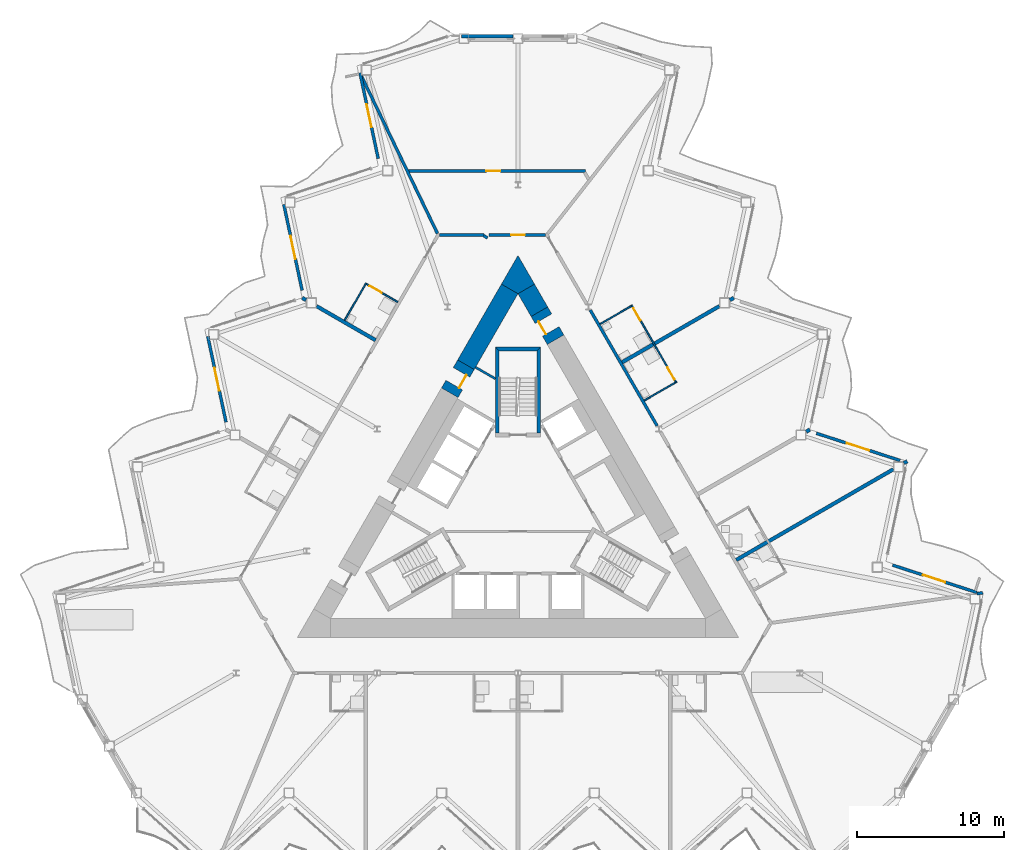
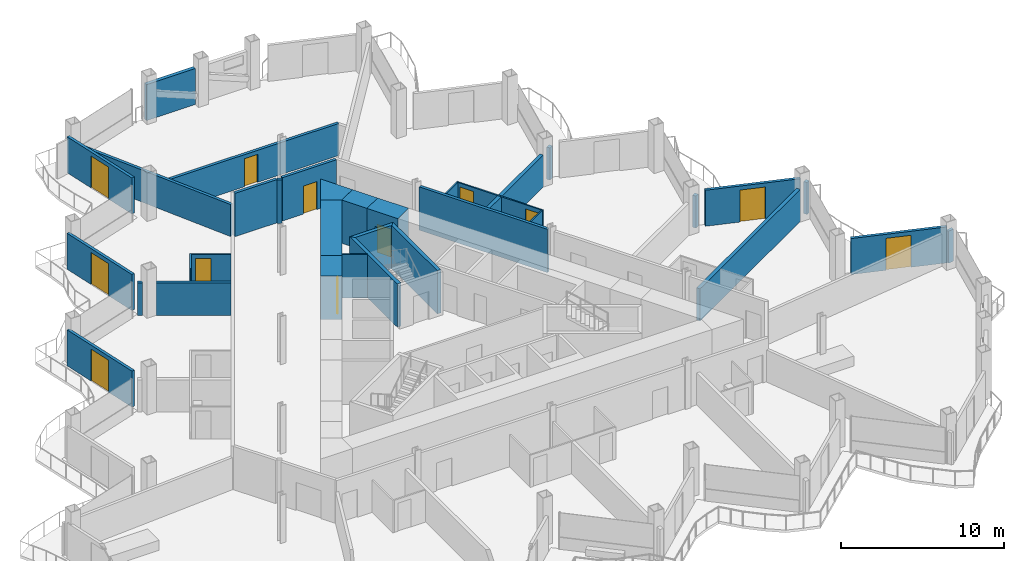
# One storey, part 14 of 24: 34 walls, 12 doors, 12 openings.
"""IFC4 building model written with IfcOpenShell, lengths in metres."""

from ifc_helpers import new_model, si_unit, direction, frame, frame_2d, origin, place, context, subcontext, project, spatial, polyline, rectangle, outline, extrude, material, layer, layer_set, type_object, element, fill, save


model = new_model("IFC4")

# Units and contexts
model_context = context("Model", 3, precision=1e-05, world=origin(), true_north=direction((0.0, 1.0)))
body_context = subcontext(model_context, "Body", "Model", "MODEL_VIEW")
ifc_project = project(units=[si_unit("LENGTHUNIT", "METRE"), si_unit("AREAUNIT", "SQUARE_METRE"), si_unit("VOLUMEUNIT", "CUBIC_METRE"), si_unit("PLANEANGLEUNIT", "RADIAN"), si_unit("MASSUNIT", "GRAM", prefix="KILO")], contexts=[model_context])

# Site, building, storey
site_placement = place(None, origin())
site = spatial("IfcSite", under=ifc_project, at=site_placement, CompositionType="ELEMENT")
building_placement = place(site_placement, origin())
building = spatial("IfcBuilding", under=site, at=building_placement, Name="Cormorant Prow Tower", CompositionType="ELEMENT")
storey_placement = place(building_placement, frame((0.0, 0.0, 238.199951171875)))
storey = spatial("IfcBuildingStorey", under=building, at=storey_placement, Name="L52", CompositionType="ELEMENT", Elevation=238.199951171875)

# Walls
ifc_material_1 = material(Name="Gypsum board partition")
ifc_layer_1 = layer(ifc_material_1, 0.14990234375)
ifc_layer_set_1 = layer_set([ifc_layer_1], Name="Gypsum board partition")
wall_type_1 = type_object("IfcWallType", Name="Core partition 150", PredefinedType="PARTITIONING", material=ifc_layer_set_1)
wall_1_placement = place(storey_placement, frame((-2.88623046875, 9.721435546875, 0.0), z_axis=(0.0, 0.0, 1.0), x_axis=(0.865990094875, -0.500061151839, 0.0)))
element("IfcWall", 1, at=wall_1_placement, inside=storey, type_object=wall_type_1, Name="Service room partition", PredefinedType="PARTITIONING", context=body_context, shape_type="SweptSolid", body=[
    extrude(rectangle(XDim=1.559814453125, YDim=0.14990234375, at=frame_2d((0.77978515625, 0.0))), origin(), (0.0, 0.0, 1.0), 3.25),
])
ifc_material_2 = material(Name="Concrete 8000 psi", Category="concrete")
ifc_layer_2 = layer(ifc_material_2, 1.300048828125)
ifc_layer_set_2 = layer_set([ifc_layer_2], Name="Concrete 8000 psi")
wall_type_2 = type_object("IfcWallType", Name="Core shear wall 1300", PredefinedType="SHEAR", material=ifc_layer_set_2)
wall_2_placement = place(storey_placement, frame((1.4560546875, 13.49853515625, 0.0), z_axis=(0.0, 0.0, 1.0), x_axis=(-0.499990639951, 0.866030807744, 0.0)))
element("IfcWall", 2, at=wall_2_placement, inside=storey, type_object=wall_type_2, Name="Core wall", PredefinedType="SHEAR", context=body_context, shape_type="SweptSolid", body=[
    extrude(rectangle(XDim=1.7861328125, YDim=1.300048828125, at=frame_2d((0.89306640625, 0.0))), origin(), (0.0, 0.0, 1.0), 3.25),
])
wall_3_placement = place(storey_placement, frame((-0.56298828125, 15.04541015625, 0.0), z_axis=(0.0, 0.0, 1.0), x_axis=(-0.500011498138, -0.866018765229, 0.0)))
element("IfcWall", 3, at=wall_3_placement, inside=storey, type_object=wall_type_2, Name="Core wall", PredefinedType="SHEAR", context=body_context, shape_type="SweptSolid", body=[
    extrude(rectangle(XDim=5.946533203125, YDim=1.300048828125, at=frame_2d((2.97314453125, 0.0))), origin(), (0.0, 0.0, 1.0), 3.25),
])
wall_4_placement = place(storey_placement, origin())
element("IfcWall", 4, at=wall_4_placement, inside=storey, type_object=wall_type_2, Name="Core wall corner", PredefinedType="SHEAR", context=body_context, shape_type="SweptSolid", body=[
    extrude(outline(polyline([(-1.125732421875, 15.37060546875), (0.0, 17.320556640625), (1.125732421875, 15.37060546875), (0.0, 14.720458984375), (-1.125732421875, 15.37060546875)])), origin(), (0.0, 0.0, 1.0), 3.25),
])

# Wall, opening, door
wall_5_placement = place(storey_placement, frame((-3.536376953125, 9.8955078125, 0.0), z_axis=(0.0, 0.0, 1.0), x_axis=(-0.499981787252, -0.866035918664, 0.0)))
wall_5 = element("IfcWall", 5, at=wall_5_placement, inside=storey, type_object=wall_type_2, Name="Core wall door panel", PredefinedType="SHEAR", context=body_context, shape_type="SweptSolid", body=[
    extrude(rectangle(XDim=2.2001953125, YDim=1.300048828125, at=frame_2d((1.10009765625, 0.0))), origin(), (0.0, 0.0, 1.0), 3.25),
])
opening_1_placement = place(wall_5_placement, frame((0.60009765625, 0.0, 0.0)))
opening_1 = element("IfcOpeningElement", 6, at=opening_1_placement, cuts=wall_5, Name="Opening L52-C16", PredefinedType="OPENING", context=body_context, shape_type="SweptSolid", body=[
    extrude(rectangle(XDim=1.0, YDim=2.10009765625, at=frame_2d((0.5, 1.050048828125))), frame((0.0, 0.659912109375, 0.0), z_axis=(0.0, -1.0, 0.0), x_axis=(1.0, 0.0, 0.0)), (0.0, 0.0, 1.0), 1.320068359375),
])
ifc_material_3 = material(Name="Painted steel", Category="steel")
door_type_1 = type_object("IfcDoorType", Name="Service door 1000x2100", OperationType="NOTDEFINED", PredefinedType="DOOR", material=ifc_material_3)
door_1_placement = place(opening_1_placement, origin())
door_1 = element("IfcDoor", 7, at=door_1_placement, inside=storey, type_object=door_type_1, Name="Core door, Linen store", OperationType="SINGLE_SWING_LEFT", OverallHeight=2.10009765625, OverallWidth=1.0, PredefinedType="DOOR", context=body_context, shape_type="SweptSolid", body=[
    extrude(rectangle(XDim=1.0, YDim=2.10009765625, at=frame_2d((0.5, 1.050048828125))), frame((0.0, 0.40478515625, 0.0), z_axis=(0.0, -1.0, 0.0), x_axis=(1.0, 0.0, 0.0)), (0.0, 0.0, 1.0), 0.050048828125),
])
fill(opening_1, door_1)

wall_6_placement = place(storey_placement, frame((2.555908203125, 11.59326171875, 0.0), z_axis=(0.0, 0.0, 1.0), x_axis=(-0.499946605688, 0.86605622881, 0.0)))
wall_6 = element("IfcWall", 8, at=wall_6_placement, inside=storey, type_object=wall_type_2, Name="Core wall door panel", PredefinedType="SHEAR", context=body_context, shape_type="SweptSolid", body=[
    extrude(rectangle(XDim=2.199951171875, YDim=1.300048828125, at=frame_2d((1.10009765625, 0.0))), origin(), (0.0, 0.0, 1.0), 3.25),
])
opening_2_placement = place(wall_6_placement, frame((0.64990234375, 0.0, 0.0)))
opening_2 = element("IfcOpeningElement", 9, at=opening_2_placement, cuts=wall_6, Name="Opening L52-C17", PredefinedType="OPENING", context=body_context, shape_type="SweptSolid", body=[
    extrude(rectangle(XDim=1.0, YDim=2.10009765625, at=frame_2d((0.5, 1.050048828125))), frame((0.0, 0.659912109375, 0.0), z_axis=(0.0, -1.0, 0.0), x_axis=(1.0, 0.0, 0.0)), (0.0, 0.0, 1.0), 1.320068359375),
])
door_2_placement = place(opening_2_placement, origin())
door_2 = element("IfcDoor", 10, at=door_2_placement, inside=storey, type_object=door_type_1, Name="Core door, Refuse store", OperationType="SINGLE_SWING_LEFT", OverallHeight=2.10009765625, OverallWidth=1.0, PredefinedType="DOOR", context=body_context, shape_type="SweptSolid", body=[
    extrude(rectangle(XDim=1.0, YDim=2.10009765625, at=frame_2d((0.5, 1.050048828125))), frame((0.0, 0.40478515625, 0.0), z_axis=(0.0, -1.0, 0.0), x_axis=(1.0, 0.0, 0.0)), (0.0, 0.0, 1.0), 0.050048828125),
])
fill(opening_2, door_2)

# Wall
ifc_material_4 = material(Name="Gypsum board corridor wall")
ifc_layer_3 = layer(ifc_material_4, 0.199951171875)
ifc_layer_set_3 = layer_set([ifc_layer_3], Name="Gypsum board corridor wall")
wall_type_3 = type_object("IfcWallType", Name="Corridor wall 200", PredefinedType="PARTITIONING", material=ifc_layer_set_3)
wall_7_placement = place(storey_placement, frame((4.91015625, 13.61572265625, 0.0), z_axis=(0.0, 0.0, 1.0), x_axis=(0.50000207303, -0.866024206917, 0.0)))
element("IfcWall", 11, at=wall_7_placement, inside=storey, type_object=wall_type_3, Name="Corridor wall", PredefinedType="PARTITIONING", context=body_context, shape_type="SweptSolid", body=[
    extrude(rectangle(XDim=9.0947265625, YDim=0.199951171875, at=frame_2d((4.54736328125, 0.0))), origin(), (0.0, 0.0, 1.0), 3.25),
])

# Wall, opening, door
wall_8_placement = place(storey_placement, frame((-1.962890625, 18.720458984375, 0.0), z_axis=(0.0, 0.0, 1.0), x_axis=(1.0, 0.0, 0.0)))
wall_8 = element("IfcWall", 12, at=wall_8_placement, inside=storey, type_object=wall_type_3, Name="Corridor wall", PredefinedType="PARTITIONING", context=body_context, shape_type="SweptSolid", body=[
    extrude(rectangle(XDim=3.825927734375, YDim=0.199951171875, at=frame_2d((1.9130859375, 0.0))), origin(), (0.0, 0.0, 1.0), 3.25),
])
opening_3_placement = place(wall_8_placement, frame((1.48974609375, 0.0, 0.0)))
opening_3 = element("IfcOpeningElement", 13, at=opening_3_placement, cuts=wall_8, Name="Opening L52-F18", PredefinedType="OPENING", context=body_context, shape_type="SweptSolid", body=[
    extrude(rectangle(XDim=0.949951171875, YDim=2.10009765625, at=frame_2d((0.47509765625, 1.050048828125))), frame((0.0, 0.10986328125, 0.0), z_axis=(0.0, -1.0, 0.0), x_axis=(1.0, 0.0, 0.0)), (0.0, 0.0, 1.0), 0.219970703125),
])
ifc_material_5 = material(Name="Timber door leaf", Category="wood")
door_type_2 = type_object("IfcDoorType", Name="Store door 950x2100", OperationType="NOTDEFINED", PredefinedType="DOOR", material=ifc_material_5)
door_3_placement = place(opening_3_placement, origin())
door_3 = element("IfcDoor", 14, at=door_3_placement, inside=storey, type_object=door_type_2, Name="Housekeeping room door", OperationType="SINGLE_SWING_LEFT", OverallHeight=2.10009765625, OverallWidth=0.949951171875, PredefinedType="DOOR", context=body_context, shape_type="SweptSolid", body=[
    extrude(rectangle(XDim=0.949951171875, YDim=2.10009765625, at=frame_2d((0.47509765625, 1.050048828125))), frame((0.0, 0.02490234375, 0.0), z_axis=(0.0, -1.0, 0.0), x_axis=(1.0, 0.0, 0.0)), (0.0, 0.0, 1.0), 0.050048828125),
])
fill(opening_3, door_3)

# Walls
wall_9_placement = place(storey_placement, frame((-5.3271484375, 18.720458984375, 0.0), z_axis=(0.0, 0.0, 1.0), x_axis=(1.0, 0.0, 0.0)))
element("IfcWall", 15, at=wall_9_placement, inside=storey, type_object=wall_type_3, Name="Corridor wall", PredefinedType="PARTITIONING", context=body_context, shape_type="SweptSolid", body=[
    extrude(rectangle(XDim=3.002197265625, YDim=0.199951171875, at=frame_2d((1.5009765625, 0.0))), origin(), (0.0, 0.0, 1.0), 3.25),
])
wall_10_placement = place(storey_placement, frame((-2.33837890625, 18.67041015625, 0.0), z_axis=(0.0, 0.0, 1.0), x_axis=(0.866054481515, -0.499949632511, 0.0)))
element("IfcWall", 16, at=wall_10_placement, inside=storey, type_object=wall_type_3, Name="Corridor wall", PredefinedType="PARTITIONING", context=body_context, shape_type="SweptSolid", body=[
    extrude(rectangle(XDim=0.31005859375, YDim=0.199951171875, at=frame_2d((0.155029296875, 0.0))), origin(), (0.0, 0.0, 1.0), 3.25),
])
ifc_material_6 = material(Name="Gypsum board demising wall")
ifc_layer_4 = layer(ifc_material_6, 0.199951171875)
ifc_layer_set_4 = layer_set([ifc_layer_4], Name="Gypsum board demising wall")
wall_type_4 = type_object("IfcWallType", Name="Demising wall 200", PredefinedType="PARTITIONING", material=ifc_layer_set_4)
wall_11_placement = place(storey_placement, origin())
element("IfcWall", 17, at=wall_11_placement, inside=storey, type_object=wall_type_4, Name="Demising wall", PredefinedType="PARTITIONING", context=body_context, shape_type="SweptSolid", body=[
    extrude(outline(polyline([(-5.560791015625, 18.76708984375), (-10.4658203125, 28.92333984375), (-10.640380859375, 29.744873046875), (-5.380615234375, 18.85400390625), (-5.560791015625, 18.76708984375)])), origin(), (0.0, 0.0, 1.0), 2.404296875),
])

# Wall, opening, door
wall_12_placement = place(storey_placement, frame((-7.427978515625, 23.070556640625, 0.0), z_axis=(0.0, 0.0, 1.0), x_axis=(1.0, 0.0, 0.0)))
wall_12 = element("IfcWall", 18, at=wall_12_placement, inside=storey, type_object=wall_type_4, Name="Demising wall", PredefinedType="PARTITIONING", context=body_context, shape_type="SweptSolid", body=[
    extrude(rectangle(XDim=12.00244140625, YDim=0.199951171875, at=frame_2d((6.001220703125, 0.0))), origin(), (0.0, 0.0, 1.0), 2.404296875),
])
opening_4_placement = place(wall_12_placement, frame((5.27490234375, 0.0, 0.0)))
opening_4 = element("IfcOpeningElement", 19, at=opening_4_placement, cuts=wall_12, Name="Opening L52-F19", PredefinedType="OPENING", context=body_context, shape_type="SweptSolid", body=[
    extrude(rectangle(XDim=0.949951171875, YDim=2.10009765625, at=frame_2d((0.47509765625, 1.050048828125))), frame((0.0, 0.10986328125, 0.0), z_axis=(0.0, -1.0, 0.0), x_axis=(1.0, 0.0, 0.0)), (0.0, 0.0, 1.0), 0.219970703125),
])
door_4_placement = place(opening_4_placement, origin())
door_4 = element("IfcDoor", 20, at=door_4_placement, inside=storey, type_object=door_type_2, Name="Linen store door", OperationType="SINGLE_SWING_LEFT", OverallHeight=2.10009765625, OverallWidth=0.949951171875, PredefinedType="DOOR", context=body_context, shape_type="SweptSolid", body=[
    extrude(rectangle(XDim=0.949951171875, YDim=2.10009765625, at=frame_2d((0.47509765625, 1.050048828125))), frame((0.0, 0.02490234375, 0.0), z_axis=(0.0, -1.0, 0.0), x_axis=(1.0, 0.0, 0.0)), (0.0, 0.0, 1.0), 0.050048828125),
])
fill(opening_4, door_4)

# Wall
wall_13_placement = place(storey_placement, frame((31.19580078125, -5.669189453125, 0.0), z_axis=(0.0, 0.0, 1.0), x_axis=(0.990010701632, 0.140992236146, 0.0)))
element("IfcWall", 21, at=wall_13_placement, inside=storey, type_object=wall_type_4, Name="Demising wall", PredefinedType="PARTITIONING", context=body_context, shape_type="SweptSolid", body=[
    extrude(rectangle(XDim=0.398193359375, YDim=0.199951171875, at=frame_2d((0.19921875, 0.0))), origin(), (0.0, 0.0, 1.0), 2.404296875),
])

# Wall, openings, doors
ifc_material_7 = material(Name="Gypsum board partition")
ifc_layer_5 = layer(ifc_material_7, 0.10009765625)
ifc_layer_set_5 = layer_set([ifc_layer_5], Name="Gypsum board partition")
wall_type_5 = type_object("IfcWallType", Name="Internal partition 100", PredefinedType="PARTITIONING", material=ifc_layer_set_5)
wall_14_placement = place(storey_placement, frame((7.71923828125, 13.950439453125, 0.0), z_axis=(0.0, 0.0, 1.0), x_axis=(0.500008851346, -0.866020293397, 0.0)))
wall_14 = element("IfcWall", 22, at=wall_14_placement, inside=storey, type_object=wall_type_5, Name="Internal partition", PredefinedType="PARTITIONING", context=body_context, shape_type="SweptSolid", body=[
    extrude(rectangle(XDim=6.10009765625, YDim=0.10009765625, at=frame_2d((3.050048828125, 0.0))), origin(), (0.0, 0.0, 1.0), 2.404296875),
])
opening_5_placement = place(wall_14_placement, frame((4.89990234375, 0.0, 0.0)))
opening_5 = element("IfcOpeningElement", 23, at=opening_5_placement, cuts=wall_14, Name="Opening L52-F15", PredefinedType="OPENING", context=body_context, shape_type="SweptSolid", body=[
    extrude(rectangle(XDim=0.949951171875, YDim=2.10009765625, at=frame_2d((0.47509765625, 1.050048828125))), frame((0.0, 0.06005859375, 0.0), z_axis=(0.0, -1.0, 0.0), x_axis=(1.0, 0.0, 0.0)), (0.0, 0.0, 1.0), 0.1201171875),
])
opening_6_placement = place(wall_14_placement, frame((0.25, 0.0, 0.0)))
opening_6 = element("IfcOpeningElement", 24, at=opening_6_placement, cuts=wall_14, Name="Opening L52-F17", PredefinedType="OPENING", context=body_context, shape_type="SweptSolid", body=[
    extrude(rectangle(XDim=0.949951171875, YDim=2.10009765625, at=frame_2d((0.47509765625, 1.050048828125))), frame((0.0, 0.06005859375, 0.0), z_axis=(0.0, -1.0, 0.0), x_axis=(1.0, 0.0, 0.0)), (0.0, 0.0, 1.0), 0.1201171875),
])
ifc_material_8 = material(Name="Timber door leaf", Category="wood")
door_type_3 = type_object("IfcDoorType", Name="Bathroom door 950x2100", OperationType="NOTDEFINED", PredefinedType="DOOR", material=ifc_material_8)
door_5_placement = place(opening_5_placement, origin())
door_5 = element("IfcDoor", 25, at=door_5_placement, inside=storey, type_object=door_type_3, Name="Junior suite door", OperationType="SINGLE_SWING_RIGHT", OverallHeight=2.10009765625, OverallWidth=0.949951171875, PredefinedType="DOOR", context=body_context, shape_type="SweptSolid", body=[
    extrude(rectangle(XDim=0.949951171875, YDim=2.10009765625, at=frame_2d((0.47509765625, 1.050048828125))), frame((0.0, 0.02490234375, 0.0), z_axis=(0.0, -1.0, 0.0), x_axis=(1.0, 0.0, 0.0)), (0.0, 0.0, 1.0), 0.050048828125),
])
fill(opening_5, door_5)
door_6_placement = place(opening_6_placement, origin())
door_6 = element("IfcDoor", 26, at=door_6_placement, inside=storey, type_object=door_type_3, Name="Executive suite bedroom door", OperationType="SINGLE_SWING_LEFT", OverallHeight=2.10009765625, OverallWidth=0.949951171875, PredefinedType="DOOR", context=body_context, shape_type="SweptSolid", body=[
    extrude(rectangle(XDim=0.949951171875, YDim=2.10009765625, at=frame_2d((0.47509765625, 1.050048828125))), frame((0.0, 0.02490234375, 0.0), z_axis=(0.0, -1.0, 0.0), x_axis=(1.0, 0.0, 0.0)), (0.0, 0.0, 1.0), 0.050048828125),
])
fill(opening_6, door_6)

# Walls
wall_15_placement = place(storey_placement, frame((-11.77978515625, 12.91748046875, 0.0), z_axis=(0.0, 0.0, 1.0), x_axis=(0.499999433879, 0.866025730634, 0.0)))
element("IfcWall", 27, at=wall_15_placement, inside=storey, type_object=wall_type_5, Name="Internal partition", PredefinedType="PARTITIONING", context=body_context, shape_type="SweptSolid", body=[
    extrude(rectangle(XDim=2.9248046875, YDim=0.10009765625, at=frame_2d((1.46240234375, 0.0))), origin(), (0.0, 0.0, 1.0), 2.404296875),
])
wall_16_placement = place(storey_placement, frame((8.5791015625, 7.4609375, 0.0), z_axis=(0.0, 0.0, 1.0), x_axis=(0.866014668023, 0.500018594424, 0.0)))
element("IfcWall", 28, at=wall_16_placement, inside=storey, type_object=wall_type_5, Name="Internal partition", PredefinedType="PARTITIONING", context=body_context, shape_type="SweptSolid", body=[
    extrude(rectangle(XDim=2.4501953125, YDim=0.10009765625, at=frame_2d((1.22509765625, 0.0))), origin(), (0.0, 0.0, 1.0), 2.404296875),
])

# Wall, opening, door
wall_17_placement = place(storey_placement, frame((-10.299072265625, 15.382080078125, 0.0), z_axis=(0.0, 0.0, 1.0), x_axis=(0.866057815567, -0.499943856944, 0.0)))
wall_17 = element("IfcWall", 29, at=wall_17_placement, inside=storey, type_object=wall_type_5, Name="Internal partition", PredefinedType="PARTITIONING", context=body_context, shape_type="SweptSolid", body=[
    extrude(rectangle(XDim=2.449951171875, YDim=0.10009765625, at=frame_2d((1.22509765625, 0.0))), origin(), (0.0, 0.0, 1.0), 2.404296875),
])
opening_7_placement = place(wall_17_placement, frame((0.25, 0.0, 0.0)))
opening_7 = element("IfcOpeningElement", 30, at=opening_7_placement, cuts=wall_17, Name="Opening L52-F21", PredefinedType="OPENING", context=body_context, shape_type="SweptSolid", body=[
    extrude(rectangle(XDim=0.949951171875, YDim=2.10009765625, at=frame_2d((0.47509765625, 1.050048828125))), frame((0.0, 0.06005859375, 0.0), z_axis=(0.0, -1.0, 0.0), x_axis=(1.0, 0.0, 0.0)), (0.0, 0.0, 1.0), 0.1201171875),
])
door_7_placement = place(opening_7_placement, origin())
door_7 = element("IfcDoor", 31, at=door_7_placement, inside=storey, type_object=door_type_3, Name="Executive suite bedroom door", OperationType="SINGLE_SWING_LEFT", OverallHeight=2.10009765625, OverallWidth=0.949951171875, PredefinedType="DOOR", context=body_context, shape_type="SweptSolid", body=[
    extrude(rectangle(XDim=0.949951171875, YDim=2.10009765625, at=frame_2d((0.47509765625, 1.050048828125))), frame((0.0, 0.02490234375, 0.0), z_axis=(0.0, -1.0, 0.0), x_axis=(1.0, 0.0, 0.0)), (0.0, 0.0, 1.0), 0.050048828125),
])
fill(opening_7, door_7)

# Walls
wall_18_placement = place(storey_placement, frame((5.5791015625, 12.6572265625, 0.0), z_axis=(0.0, 0.0, 1.0), x_axis=(0.866057815567, 0.499943856944, 0.0)))
element("IfcWall", 32, at=wall_18_placement, inside=storey, type_object=wall_type_5, Name="Internal partition", PredefinedType="PARTITIONING", context=body_context, shape_type="SweptSolid", body=[
    extrude(rectangle(XDim=2.449951171875, YDim=0.10009765625, at=frame_2d((1.22509765625, 0.0))), origin(), (0.0, 0.0, 1.0), 2.404296875),
])
ifc_material_9 = material(Name="Concrete 8000 psi", Category="concrete")
ifc_layer_6 = layer(ifc_material_9, 0.25)
ifc_layer_set_6 = layer_set([ifc_layer_6], Name="Concrete 8000 psi")
wall_type_6 = type_object("IfcWallType", Name="Stair wall 250", PredefinedType="SHEAR", material=ifc_layer_set_6)
wall_19_placement = place(storey_placement, origin())
element("IfcWall", 33, at=wall_19_placement, inside=storey, type_object=wall_type_6, Name="Stair ST3 enclosure wall (flank)", PredefinedType="SHEAR", context=body_context, shape_type="SweptSolid", body=[
    extrude(outline(polyline([(1.5439453125, 5.23681640625), (1.5439453125, 11.0869140625), (1.2939453125, 10.8369140625), (1.2939453125, 5.23681640625), (1.5439453125, 5.23681640625)])), origin(), (0.0, 0.0, 1.0), 3.25),
])
wall_20_placement = place(storey_placement, origin())
element("IfcWall", 34, at=wall_20_placement, inside=storey, type_object=wall_type_6, Name="Stair ST3 enclosure wall (end)", PredefinedType="SHEAR", context=body_context, shape_type="SweptSolid", body=[
    extrude(outline(polyline([(1.5439453125, 11.0869140625), (-1.5439453125, 11.0869140625), (-1.2939453125, 10.8369140625), (1.2939453125, 10.8369140625), (1.5439453125, 11.0869140625)])), origin(), (0.0, 0.0, 1.0), 3.25),
])
wall_21_placement = place(storey_placement, origin())
element("IfcWall", 35, at=wall_21_placement, inside=storey, type_object=wall_type_6, Name="Stair ST3 enclosure wall (flank)", PredefinedType="SHEAR", context=body_context, shape_type="SweptSolid", body=[
    extrude(outline(polyline([(-1.2939453125, 10.8369140625), (-1.5439453125, 11.0869140625), (-1.5439453125, 5.23681640625), (-1.2939453125, 5.23681640625), (-1.2939453125, 10.8369140625)])), origin(), (0.0, 0.0, 1.0), 3.25),
])
ifc_material_10 = material(Name="Acoustic gypsum party wall")
ifc_layer_7 = layer(ifc_material_10, 0.25)
ifc_layer_set_7 = layer_set([ifc_layer_7], Name="Acoustic gypsum party wall")
wall_type_7 = type_object("IfcWallType", Name="Suite party wall 250", PredefinedType="PARTITIONING", material=ifc_layer_set_7)
wall_22_placement = place(storey_placement, frame((14.8369140625, -3.3779296875, 0.0), z_axis=(0.0, 0.0, 1.0), x_axis=(0.866021706022, 0.500006404657, 0.0)))
element("IfcWall", 36, at=wall_22_placement, inside=storey, type_object=wall_type_7, Name="Suite party wall", PredefinedType="PARTITIONING", context=body_context, shape_type="SweptSolid", body=[
    extrude(rectangle(XDim=12.329833984375, YDim=0.25, at=frame_2d((6.1650390625, 0.0))), origin(), (0.0, 0.0, 1.0), 2.404296875),
])
wall_23_placement = place(storey_placement, frame((7.0791015625, 10.05908203125, 0.0), z_axis=(0.0, 0.0, 1.0), x_axis=(0.866033195618, 0.499986503906, 0.0)))
element("IfcWall", 37, at=wall_23_placement, inside=storey, type_object=wall_type_7, Name="Suite party wall", PredefinedType="PARTITIONING", context=body_context, shape_type="SweptSolid", body=[
    extrude(rectangle(XDim=7.630126953125, YDim=0.25, at=frame_2d((3.81494140625, 0.0))), origin(), (0.0, 0.0, 1.0), 2.404296875),
])
wall_24_placement = place(storey_placement, frame((-13.68701171875, 13.8740234375, 0.0), z_axis=(0.0, 0.0, 1.0), x_axis=(0.866034555462, -0.499984148495, 0.0)))
element("IfcWall", 38, at=wall_24_placement, inside=storey, type_object=wall_type_7, Name="Suite party wall", PredefinedType="PARTITIONING", context=body_context, shape_type="SweptSolid", body=[
    extrude(rectangle(XDim=4.630126953125, YDim=0.25, at=frame_2d((2.31494140625, 0.0))), origin(), (0.0, 0.0, 1.0), 2.404296875),
])
for number, where, z_axis, x_axis, name in (
    (39, (14.406982421875, 14.289794921875, 0.0), (0.0, 0.0, 1.0), (0.865888485494, 0.500237074485, 0.0), "Suite party wall"),
    (40, (-14.667724609375, 14.4404296875, 0.0), (0.0, 0.0, 1.0), (0.865888485494, -0.500237074485, 0.0), "Suite party wall"),
):
    element("IfcWall", number, at=place(storey_placement, frame(where, z_axis=z_axis, x_axis=x_axis)), inside=storey, type_object=wall_type_7, Name=name, PredefinedType="PARTITIONING", context=body_context, shape_type="SweptSolid", body=[
        extrude(rectangle(XDim=0.301025390625, YDim=0.25, at=frame_2d((0.150390625, 0.0))), origin(), (0.0, 0.0, 1.0), 2.404296875),
    ])
wall_25_placement = place(storey_placement, frame((19.59521484375, 5.34130859375, 0.0), z_axis=(0.0, 0.0, 1.0), x_axis=(0.865998287773, 0.500046963369, 0.0)))
element("IfcWall", 41, at=wall_25_placement, inside=storey, type_object=wall_type_7, Name="Suite party wall", PredefinedType="PARTITIONING", context=body_context, shape_type="SweptSolid", body=[
    extrude(rectangle(XDim=0.2822265625, YDim=0.25, at=frame_2d((0.14111328125, 0.0))), origin(), (0.0, 0.0, 1.0), 2.404296875),
])
wall_26_placement = place(storey_placement, frame((26.23486328125, 3.20263671875, 0.0), z_axis=(0.0, 0.0, 1.0), x_axis=(0.86596515875, 0.500104332946, 0.0)))
element("IfcWall", 42, at=wall_26_placement, inside=storey, type_object=wall_type_7, Name="Suite party wall", PredefinedType="PARTITIONING", context=body_context, shape_type="SweptSolid", body=[
    extrude(rectangle(XDim=0.25830078125, YDim=0.25, at=frame_2d((0.129150390625, 0.0))), origin(), (0.0, 0.0, 1.0), 2.404296875),
])
ifc_material_11 = material(Name="Terracotta", Category="masonry")
ifc_layer_8 = layer(ifc_material_11, 0.25)
ifc_layer_set_8 = layer_set([ifc_layer_8], Name="Terracotta")
wall_type_8 = type_object("IfcWallType", Name="Terracotta bay wall 250", PredefinedType="SOLIDWALL", material=ifc_layer_set_8)
wall_27_placement = place(storey_placement, frame((-0.35009765625, 32.2314453125, 0.0), z_axis=(0.0, 0.0, 1.0), x_axis=(-1.0, 0.0, 0.0)))
element("IfcWall", 43, at=wall_27_placement, inside=storey, type_object=wall_type_8, Name="Terracotta bay wall N01", PredefinedType="SOLIDWALL", context=body_context, shape_type="SweptSolid", body=[
    extrude(rectangle(XDim=3.472900390625, YDim=0.25, at=frame_2d((1.736328125, 0.0))), origin(), (0.0, 0.0, 1.0), 2.700927734375),
])

# Wall, opening, door
ifc_material_12 = material(Name="Terracotta", Category="masonry")
ifc_layer_9 = layer(ifc_material_12, 0.199951171875)
ifc_layer_set_9 = layer_set([ifc_layer_9], Name="Terracotta")
wall_type_9 = type_object("IfcWallType", Name="Terracotta jamb wall 200", PredefinedType="SOLIDWALL", material=ifc_layer_set_9)
wall_28_placement = place(storey_placement, frame((31.183837890625, -5.586181640625, 0.0), z_axis=(0.0, 0.0, 1.0), x_axis=(-0.95106415783, 0.30899347516, 0.0)))
wall_28 = element("IfcWall", 44, at=wall_28_placement, inside=storey, type_object=wall_type_9, Name="Terracotta jamb wall ENE01", PredefinedType="SOLIDWALL", context=body_context, shape_type="SweptSolid", body=[
    extrude(rectangle(XDim=6.021484375, YDim=0.199951171875, at=frame_2d((3.0107421875, 0.0))), origin(), (0.0, 0.0, 1.0), 2.700927734375),
])
opening_8_placement = place(wall_28_placement, frame((2.24267578125, 0.0, 0.0)))
opening_8 = element("IfcOpeningElement", 45, at=opening_8_placement, cuts=wall_28, Name="Opening ED52.06", PredefinedType="OPENING", context=body_context, shape_type="SweptSolid", body=[
    extrude(rectangle(XDim=1.60009765625, YDim=2.39990234375, at=frame_2d((0.800048828125, 1.199951171875))), frame((0.0, 0.10986328125, 0.0), z_axis=(0.0, -1.0, 0.0), x_axis=(1.0, 0.0, 0.0)), (0.0, 0.0, 1.0), 0.219970703125),
])
ifc_material_13 = material(Name="Aluminium 6063-T6", Category="aluminium")
door_type_4 = type_object("IfcDoorType", Name="Balcony door 1600x2400", OperationType="DOUBLE_DOOR_SINGLE_SWING", PredefinedType="DOOR", material=ifc_material_13)
door_8_placement = place(opening_8_placement, origin())
door_8 = element("IfcDoor", 46, at=door_8_placement, inside=storey, type_object=door_type_4, Name="Balcony door ENE01 ED52.06", OperationType="DOUBLE_DOOR_SINGLE_SWING", OverallHeight=2.39990234375, OverallWidth=1.60009765625, PredefinedType="DOOR", context=body_context, shape_type="SweptSolid", body=[
    extrude(rectangle(XDim=1.60009765625, YDim=2.39990234375, at=frame_2d((0.800048828125, 1.199951171875))), frame((0.0, 0.02490234375, 0.0), z_axis=(0.0, -1.0, 0.0), x_axis=(1.0, 0.0, 0.0)), (0.0, 0.0, 1.0), 0.050048828125),
])
fill(opening_8, door_8)

wall_29_placement = place(storey_placement, frame((25.9765625, 3.38330078125, 0.0), z_axis=(0.0, 0.0, 1.0), x_axis=(-0.951062846307, 0.308997511922, 0.0)))
wall_29 = element("IfcWall", 47, at=wall_29_placement, inside=storey, type_object=wall_type_9, Name="Terracotta jamb wall ENE03", PredefinedType="SOLIDWALL", context=body_context, shape_type="SweptSolid", body=[
    extrude(rectangle(XDim=5.984375, YDim=0.199951171875, at=frame_2d((2.9921875, 0.0))), origin(), (0.0, 0.0, 1.0), 2.700927734375),
])
opening_9_placement = place(wall_29_placement, frame((2.20556640625, 0.0, 0.0)))
opening_9 = element("IfcOpeningElement", 48, at=opening_9_placement, cuts=wall_29, Name="Opening ED52.07", PredefinedType="OPENING", context=body_context, shape_type="SweptSolid", body=[
    extrude(rectangle(XDim=1.60009765625, YDim=2.39990234375, at=frame_2d((0.800048828125, 1.199951171875))), frame((0.0, 0.10986328125, 0.0), z_axis=(0.0, -1.0, 0.0), x_axis=(1.0, 0.0, 0.0)), (0.0, 0.0, 1.0), 0.219970703125),
])
door_9_placement = place(opening_9_placement, origin())
door_9 = element("IfcDoor", 49, at=door_9_placement, inside=storey, type_object=door_type_4, Name="Balcony door ENE03 ED52.07", OperationType="DOUBLE_DOOR_SINGLE_SWING", OverallHeight=2.39990234375, OverallWidth=1.60009765625, PredefinedType="DOOR", context=body_context, shape_type="SweptSolid", body=[
    extrude(rectangle(XDim=1.60009765625, YDim=2.39990234375, at=frame_2d((0.800048828125, 1.199951171875))), frame((0.0, 0.02490234375, 0.0), z_axis=(0.0, -1.0, 0.0), x_axis=(1.0, 0.0, 0.0)), (0.0, 0.0, 1.0), 0.050048828125),
])
fill(opening_9, door_9)

wall_30_placement = place(storey_placement, frame((-10.74072265625, 29.736572265625, 0.0), z_axis=(0.0, 0.0, 1.0), x_axis=(0.207891593624, -0.978151872308, 0.0)))
wall_30 = element("IfcWall", 50, at=wall_30_placement, inside=storey, type_object=wall_type_9, Name="Terracotta jamb wall WNW01", PredefinedType="SOLIDWALL", context=body_context, shape_type="SweptSolid", body=[
    extrude(rectangle(XDim=5.95751953125, YDim=0.199951171875, at=frame_2d((2.978759765625, 0.0))), origin(), (0.0, 0.0, 1.0), 2.700927734375),
])
opening_10_placement = place(wall_30_placement, frame((2.1787109375, 0.0, 0.0)))
opening_10 = element("IfcOpeningElement", 51, at=opening_10_placement, cuts=wall_30, Name="Opening ED52.11", PredefinedType="OPENING", context=body_context, shape_type="SweptSolid", body=[
    extrude(rectangle(XDim=1.60009765625, YDim=2.39990234375, at=frame_2d((0.800048828125, 1.199951171875))), frame((0.0, 0.10986328125, 0.0), z_axis=(0.0, -1.0, 0.0), x_axis=(1.0, 0.0, 0.0)), (0.0, 0.0, 1.0), 0.219970703125),
])
door_10_placement = place(opening_10_placement, origin())
door_10 = element("IfcDoor", 52, at=door_10_placement, inside=storey, type_object=door_type_4, Name="Balcony door WNW01 ED52.11", OperationType="DOUBLE_DOOR_SINGLE_SWING", OverallHeight=2.39990234375, OverallWidth=1.60009765625, PredefinedType="DOOR", context=body_context, shape_type="SweptSolid", body=[
    extrude(rectangle(XDim=1.60009765625, YDim=2.39990234375, at=frame_2d((0.800048828125, 1.199951171875))), frame((0.0, 0.02490234375, 0.0), z_axis=(0.0, -1.0, 0.0), x_axis=(1.0, 0.0, 0.0)), (0.0, 0.0, 1.0), 0.050048828125),
])
fill(opening_10, door_10)

wall_31_placement = place(storey_placement, frame((-15.912841796875, 20.778564453125, 0.0), z_axis=(0.0, 0.0, 1.0), x_axis=(0.207930802022, -0.978143538327, 0.0)))
wall_31 = element("IfcWall", 53, at=wall_31_placement, inside=storey, type_object=wall_type_9, Name="Terracotta jamb wall WNW03", PredefinedType="SOLIDWALL", context=body_context, shape_type="SweptSolid", body=[
    extrude(rectangle(XDim=5.95751953125, YDim=0.199951171875, at=frame_2d((2.978759765625, 0.0))), origin(), (0.0, 0.0, 1.0), 2.700927734375),
])
opening_11_placement = place(wall_31_placement, frame((2.1787109375, 0.0, 0.0)))
opening_11 = element("IfcOpeningElement", 54, at=opening_11_placement, cuts=wall_31, Name="Opening ED52.12", PredefinedType="OPENING", context=body_context, shape_type="SweptSolid", body=[
    extrude(rectangle(XDim=1.60009765625, YDim=2.39990234375, at=frame_2d((0.800048828125, 1.199951171875))), frame((0.0, 0.10986328125, 0.0), z_axis=(0.0, -1.0, 0.0), x_axis=(1.0, 0.0, 0.0)), (0.0, 0.0, 1.0), 0.219970703125),
])
door_11_placement = place(opening_11_placement, origin())
door_11 = element("IfcDoor", 55, at=door_11_placement, inside=storey, type_object=door_type_4, Name="Balcony door WNW03 ED52.12", OperationType="DOUBLE_DOOR_SINGLE_SWING", OverallHeight=2.39990234375, OverallWidth=1.60009765625, PredefinedType="DOOR", context=body_context, shape_type="SweptSolid", body=[
    extrude(rectangle(XDim=1.60009765625, YDim=2.39990234375, at=frame_2d((0.800048828125, 1.199951171875))), frame((0.0, 0.02490234375, 0.0), z_axis=(0.0, -1.0, 0.0), x_axis=(1.0, 0.0, 0.0)), (0.0, 0.0, 1.0), 0.050048828125),
])
fill(opening_11, door_11)

wall_32_placement = place(storey_placement, frame((-21.084716796875, 11.820556640625, 0.0), z_axis=(0.0, 0.0, 1.0), x_axis=(0.207930802022, -0.978143538327, 0.0)))
wall_32 = element("IfcWall", 56, at=wall_32_placement, inside=storey, type_object=wall_type_9, Name="Terracotta jamb wall WNW05", PredefinedType="SOLIDWALL", context=body_context, shape_type="SweptSolid", body=[
    extrude(rectangle(XDim=5.95751953125, YDim=0.199951171875, at=frame_2d((2.978759765625, 0.0))), origin(), (0.0, 0.0, 1.0), 2.700927734375),
])
opening_12_placement = place(wall_32_placement, frame((2.1787109375, 0.0, 0.0)))
opening_12 = element("IfcOpeningElement", 57, at=opening_12_placement, cuts=wall_32, Name="Opening ED52.13", PredefinedType="OPENING", context=body_context, shape_type="SweptSolid", body=[
    extrude(rectangle(XDim=1.60009765625, YDim=2.39990234375, at=frame_2d((0.800048828125, 1.199951171875))), frame((0.0, 0.10986328125, 0.0), z_axis=(0.0, -1.0, 0.0), x_axis=(1.0, 0.0, 0.0)), (0.0, 0.0, 1.0), 0.219970703125),
])
door_12_placement = place(opening_12_placement, origin())
door_12 = element("IfcDoor", 58, at=door_12_placement, inside=storey, type_object=door_type_4, Name="Balcony door WNW05 ED52.13", OperationType="DOUBLE_DOOR_SINGLE_SWING", OverallHeight=2.39990234375, OverallWidth=1.60009765625, PredefinedType="DOOR", context=body_context, shape_type="SweptSolid", body=[
    extrude(rectangle(XDim=1.60009765625, YDim=2.39990234375, at=frame_2d((0.800048828125, 1.199951171875))), frame((0.0, 0.02490234375, 0.0), z_axis=(0.0, -1.0, 0.0), x_axis=(1.0, 0.0, 0.0)), (0.0, 0.0, 1.0), 0.050048828125),
])
fill(opening_12, door_12)

save(model, "model.ifc")
